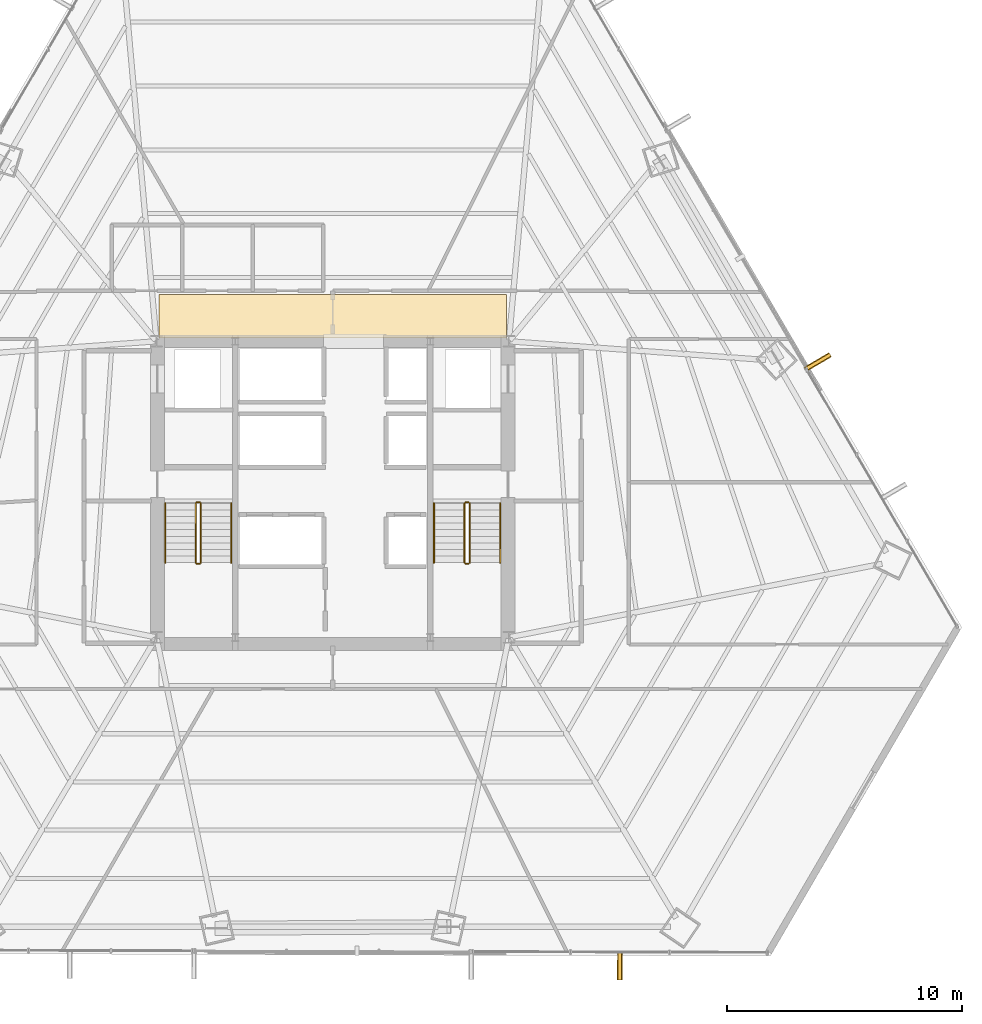
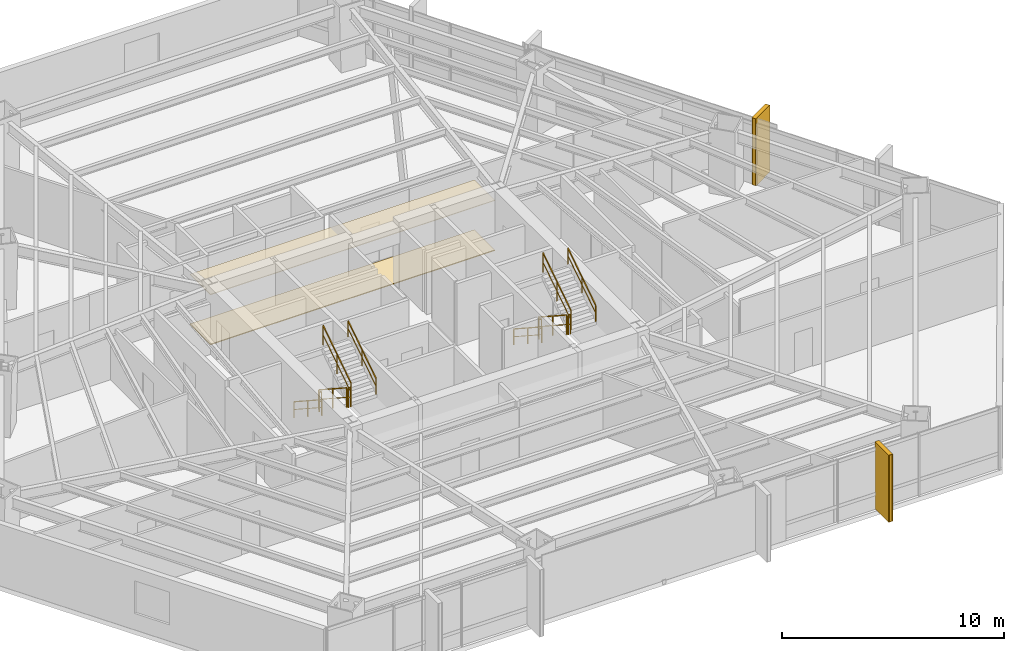
# One storey, part 32 of 33: 12 railings, 4 coverings, 2 shading devices.
"""IFC4 building model written with IfcOpenShell, lengths in metres."""

from ifc_helpers import new_model, si_unit, direction, frame, origin, origin_2d, place, context, subcontext, project, spatial, polyline, rectangle, outline, extrude, source, transform, mapped, material, layer, layer_set, type_object, type_shapes, element, save


model = new_model("IFC4")

# Units and contexts
model_context = context("Model", 3, precision=1e-05, world=origin(), true_north=direction((0.0, 1.0)))
body_context = subcontext(model_context, "Body", "Model", "MODEL_VIEW")
ifc_project = project(units=[si_unit("LENGTHUNIT", "METRE"), si_unit("AREAUNIT", "SQUARE_METRE"), si_unit("VOLUMEUNIT", "CUBIC_METRE"), si_unit("PLANEANGLEUNIT", "RADIAN"), si_unit("MASSUNIT", "GRAM", prefix="KILO")], contexts=[model_context])

# Site, building, storey
site_placement = place(None, origin())
site = spatial("IfcSite", under=ifc_project, at=site_placement, CompositionType="ELEMENT")
building_placement = place(site_placement, origin())
building = spatial("IfcBuilding", under=site, at=building_placement, Name="Caelisora Broadcast Tower", CompositionType="ELEMENT")
storey_placement = place(building_placement, frame((0.0, 0.0, 38.550048828125)))
storey = spatial("IfcBuildingStorey", under=building, at=storey_placement, Name="L09", CompositionType="ELEMENT", Elevation=38.550048828125)

# Coverings
ifc_material_1 = material(Name="Perforated Mineral-Fibre Acoustic Ceiling Tile", Category="gypsum")
ifc_layer_1 = layer(ifc_material_1, 0.034912109375, Name="Perforated Mineral-Fibre Acoustic Ceiling Tile")
ifc_layer_set_1 = layer_set([ifc_layer_1], Name="Perforated Mineral-Fibre Acoustic Ceiling Tile")
covering_type_1 = type_object("IfcCoveringType", Name="CE-1", PredefinedType="CEILING", material=ifc_layer_set_1)
covering_1_placement = place(storey_placement, frame((0.0, 0.0, 2.75)))
element("IfcCovering", 1, at=covering_1_placement, inside=storey, type_object=covering_type_1, Name="L09 acoustic corridor ceiling CE-1 (N)", PredefinedType="CEILING", context=body_context, shape_type="SweptSolid", body=[
    extrude(outline(polyline([(30.60009765625, 30.14990234375), (45.39990234375, 30.14990234375), (45.39990234375, 32.0), (30.60009765625, 32.0), (30.60009765625, 30.14990234375)])), origin(), (0.0, 0.0, 1.0), 0.034912109375),
])
ifc_material_2 = material(Name="Anti-Static Broadcast Raised Access Floor Panel", Category="steel")
ifc_layer_2 = layer(ifc_material_2, 0.044921875, Name="Anti-Static Broadcast Raised Access Floor Panel")
ifc_layer_set_2 = layer_set([ifc_layer_2], Name="Anti-Static Broadcast Raised Access Floor Panel")
covering_type_2 = type_object("IfcCoveringType", Name="FL-1", PredefinedType="FLOORING", material=ifc_layer_set_2)
covering_2_placement = place(storey_placement, origin())
element("IfcCovering", 2, at=covering_2_placement, inside=storey, type_object=covering_type_2, Name="L09 broadcast raised access floor FL-1 (N)", PredefinedType="FLOORING", context=body_context, shape_type="SweptSolid", body=[
    extrude(outline(polyline([(30.60009765625, 30.14990234375), (45.39990234375, 30.14990234375), (45.39990234375, 32.0), (30.60009765625, 32.0), (30.60009765625, 30.14990234375)])), origin(), (0.0, 0.0, 1.0), 0.044921875),
])

# Railings
ifc_material_3 = material(Name="Galvanised Steel Safety Guardrail", Category="steel")
ifc_layer_3 = layer(ifc_material_3, 0.048095703125, Name="Galvanised Steel Safety Guardrail")
ifc_layer_set_3 = layer_set([ifc_layer_3], Name="Galvanised Steel Safety Guardrail")
railing_type_1 = type_object("IfcRailingType", Name="GR-1", PredefinedType="GUARDRAIL", material=ifc_layer_set_3)
railing_1_placement = place(storey_placement, frame((32.169921875, 23.10009765625, 0.182373046875)))
element("IfcRailing", 3, at=railing_1_placement, inside=storey, type_object=railing_type_1, Name="L09 ST-1 stair guard 1", PredefinedType="GUARDRAIL", context=body_context, shape_type="SweptSolid", body=[
    extrude(rectangle(XDim=0.048095703125, YDim=0.048095703125, at=origin_2d()), frame((0.0, 0.0, 1.076171875), z_axis=(0.0, -0.837749427056, 0.546054848405), x_axis=(1.0, 0.0, 0.0)), (0.0, 0.0, 1.0), 3.008056640625),
    extrude(rectangle(XDim=0.03125, YDim=0.03125, at=origin_2d()), frame((0.0, 0.0, 0.550048828125), z_axis=(0.0, -0.837749427056, 0.546054848405), x_axis=(1.0, 0.0, 0.0)), (0.0, 0.0, 1.0), 3.008056640625),
    extrude(rectangle(XDim=0.0419921875, YDim=0.0419921875, at=origin_2d()), origin(), (0.0, 0.0, 1.0), 1.052001953125),
    extrude(rectangle(XDim=0.0419921875, YDim=0.0419921875, at=origin_2d()), frame((0.0, -1.260009765625, 0.8212890625)), (0.0, 0.0, 1.0), 1.052001953125),
    extrude(rectangle(XDim=0.0419921875, YDim=0.0419921875, at=origin_2d()), frame((0.0, -2.52001953125, 1.642578125)), (0.0, 0.0, 1.0), 1.052001953125),
])
railing_2_placement = place(storey_placement, frame((32.219970703125, 20.530029296875, 1.824951171875)))
element("IfcRailing", 4, at=railing_2_placement, inside=storey, type_object=railing_type_1, Name="L09 ST-1 stair guard 2", PredefinedType="GUARDRAIL", context=body_context, shape_type="SweptSolid", body=[
    extrude(rectangle(XDim=0.048095703125, YDim=0.048095703125, at=origin_2d()), frame((0.0, 0.0, 1.076171875), z_axis=(1.0, 0.0, 0.0), x_axis=(0.0, 1.0, 0.0)), (0.0, 0.0, 1.0), 0.1201171875),
    extrude(rectangle(XDim=0.03125, YDim=0.03125, at=origin_2d()), frame((0.0, 0.0, 0.550048828125), z_axis=(1.0, 0.0, 0.0), x_axis=(0.0, 1.0, 0.0)), (0.0, 0.0, 1.0), 0.1201171875),
    extrude(rectangle(XDim=0.0419921875, YDim=0.0419921875, at=origin_2d()), origin(), (0.0, 0.0, 1.0), 1.052001953125),
    extrude(rectangle(XDim=0.0419921875, YDim=0.0419921875, at=origin_2d()), frame((0.1201171875, 0.0, 0.0)), (0.0, 0.0, 1.0), 1.052001953125),
])
railing_3_placement = place(storey_placement, frame((32.389892578125, 20.580078125, 2.007568359375)))
element("IfcRailing", 5, at=railing_3_placement, inside=storey, type_object=railing_type_1, Name="L09 ST-1 stair guard 3", PredefinedType="GUARDRAIL", context=body_context, shape_type="SweptSolid", body=[
    extrude(rectangle(XDim=0.048095703125, YDim=0.048095703125, at=origin_2d()), frame((0.0, 0.0, 1.076171875), z_axis=(0.0, 0.837786554691, 0.545997883492), x_axis=(-1.0, 0.0, 0.0)), (0.0, 0.0, 1.0), 3.008056640625),
    extrude(rectangle(XDim=0.03125, YDim=0.03125, at=origin_2d()), frame((0.0, 0.0, 0.550048828125), z_axis=(0.0, 0.837786554691, 0.545997883492), x_axis=(-1.0, 0.0, 0.0)), (0.0, 0.0, 1.0), 3.008056640625),
    extrude(rectangle(XDim=0.0419921875, YDim=0.0419921875, at=origin_2d()), origin(), (0.0, 0.0, 1.0), 1.052001953125),
    extrude(rectangle(XDim=0.0419921875, YDim=0.0419921875, at=origin_2d()), frame((0.0, 1.260009765625, 0.8212890625)), (0.0, 0.0, 1.0), 1.052001953125),
    extrude(rectangle(XDim=0.0419921875, YDim=0.0419921875, at=origin_2d()), frame((0.0, 2.52001953125, 1.642333984375)), (0.0, 0.0, 1.0), 1.052001953125),
])
railing_4_placement = place(storey_placement, frame((32.219970703125, 23.14990234375, 0.0)))
element("IfcRailing", 6, at=railing_4_placement, inside=storey, type_object=railing_type_1, Name="L09 ST-1 stair guard 4", PredefinedType="GUARDRAIL", context=body_context, shape_type="SweptSolid", body=[
    extrude(rectangle(XDim=0.048095703125, YDim=0.048095703125, at=origin_2d()), frame((0.0, 0.0, 1.076171875), z_axis=(1.0, 0.0, 0.0), x_axis=(0.0, 1.0, 0.0)), (0.0, 0.0, 1.0), 0.1201171875),
    extrude(rectangle(XDim=0.03125, YDim=0.03125, at=origin_2d()), frame((0.0, 0.0, 0.550048828125), z_axis=(1.0, 0.0, 0.0), x_axis=(0.0, 1.0, 0.0)), (0.0, 0.0, 1.0), 0.1201171875),
    extrude(rectangle(XDim=0.0419921875, YDim=0.0419921875, at=origin_2d()), origin(), (0.0, 0.0, 1.0), 1.052001953125),
    extrude(rectangle(XDim=0.0419921875, YDim=0.0419921875, at=origin_2d()), frame((0.1201171875, 0.0, 0.0)), (0.0, 0.0, 1.0), 1.052001953125),
])
railing_5_placement = place(storey_placement, frame((43.610107421875, 23.10009765625, 0.182373046875)))
element("IfcRailing", 7, at=railing_5_placement, inside=storey, type_object=railing_type_1, Name="L09 ST-2 stair guard 1", PredefinedType="GUARDRAIL", context=body_context, shape_type="SweptSolid", body=[
    extrude(rectangle(XDim=0.048095703125, YDim=0.048095703125, at=origin_2d()), frame((0.0, 0.0, 1.076171875), z_axis=(0.0, -0.837749427056, 0.546054848405), x_axis=(1.0, 0.0, 0.0)), (0.0, 0.0, 1.0), 3.008056640625),
    extrude(rectangle(XDim=0.03125, YDim=0.03125, at=origin_2d()), frame((0.0, 0.0, 0.550048828125), z_axis=(0.0, -0.837749427056, 0.546054848405), x_axis=(1.0, 0.0, 0.0)), (0.0, 0.0, 1.0), 3.008056640625),
    extrude(rectangle(XDim=0.0419921875, YDim=0.0419921875, at=origin_2d()), origin(), (0.0, 0.0, 1.0), 1.052001953125),
    extrude(rectangle(XDim=0.0419921875, YDim=0.0419921875, at=origin_2d()), frame((0.0, -1.260009765625, 0.8212890625)), (0.0, 0.0, 1.0), 1.052001953125),
    extrude(rectangle(XDim=0.0419921875, YDim=0.0419921875, at=origin_2d()), frame((0.0, -2.52001953125, 1.642578125)), (0.0, 0.0, 1.0), 1.052001953125),
])
railing_6_placement = place(storey_placement, frame((43.659912109375, 20.530029296875, 1.824951171875)))
element("IfcRailing", 8, at=railing_6_placement, inside=storey, type_object=railing_type_1, Name="L09 ST-2 stair guard 2", PredefinedType="GUARDRAIL", context=body_context, shape_type="SweptSolid", body=[
    extrude(rectangle(XDim=0.048095703125, YDim=0.048095703125, at=origin_2d()), frame((0.0, 0.0, 1.076171875), z_axis=(1.0, 0.0, 0.0), x_axis=(0.0, 1.0, 0.0)), (0.0, 0.0, 1.0), 0.1201171875),
    extrude(rectangle(XDim=0.03125, YDim=0.03125, at=origin_2d()), frame((0.0, 0.0, 0.550048828125), z_axis=(1.0, 0.0, 0.0), x_axis=(0.0, 1.0, 0.0)), (0.0, 0.0, 1.0), 0.1201171875),
    extrude(rectangle(XDim=0.0419921875, YDim=0.0419921875, at=origin_2d()), origin(), (0.0, 0.0, 1.0), 1.052001953125),
    extrude(rectangle(XDim=0.0419921875, YDim=0.0419921875, at=origin_2d()), frame((0.1201171875, 0.0, 0.0)), (0.0, 0.0, 1.0), 1.052001953125),
])
railing_7_placement = place(storey_placement, frame((43.830078125, 20.580078125, 2.007568359375)))
element("IfcRailing", 9, at=railing_7_placement, inside=storey, type_object=railing_type_1, Name="L09 ST-2 stair guard 3", PredefinedType="GUARDRAIL", context=body_context, shape_type="SweptSolid", body=[
    extrude(rectangle(XDim=0.048095703125, YDim=0.048095703125, at=origin_2d()), frame((0.0, 0.0, 1.076171875), z_axis=(0.0, 0.837786554691, 0.545997883492), x_axis=(-1.0, 0.0, 0.0)), (0.0, 0.0, 1.0), 3.008056640625),
    extrude(rectangle(XDim=0.03125, YDim=0.03125, at=origin_2d()), frame((0.0, 0.0, 0.550048828125), z_axis=(0.0, 0.837786554691, 0.545997883492), x_axis=(-1.0, 0.0, 0.0)), (0.0, 0.0, 1.0), 3.008056640625),
    extrude(rectangle(XDim=0.0419921875, YDim=0.0419921875, at=origin_2d()), origin(), (0.0, 0.0, 1.0), 1.052001953125),
    extrude(rectangle(XDim=0.0419921875, YDim=0.0419921875, at=origin_2d()), frame((0.0, 1.260009765625, 0.8212890625)), (0.0, 0.0, 1.0), 1.052001953125),
    extrude(rectangle(XDim=0.0419921875, YDim=0.0419921875, at=origin_2d()), frame((0.0, 2.52001953125, 1.642333984375)), (0.0, 0.0, 1.0), 1.052001953125),
])
railing_8_placement = place(storey_placement, frame((43.659912109375, 23.14990234375, 0.0)))
element("IfcRailing", 10, at=railing_8_placement, inside=storey, type_object=railing_type_1, Name="L09 ST-2 stair guard 4", PredefinedType="GUARDRAIL", context=body_context, shape_type="SweptSolid", body=[
    extrude(rectangle(XDim=0.048095703125, YDim=0.048095703125, at=origin_2d()), frame((0.0, 0.0, 1.076171875), z_axis=(1.0, 0.0, 0.0), x_axis=(0.0, 1.0, 0.0)), (0.0, 0.0, 1.0), 0.1201171875),
    extrude(rectangle(XDim=0.03125, YDim=0.03125, at=origin_2d()), frame((0.0, 0.0, 0.550048828125), z_axis=(1.0, 0.0, 0.0), x_axis=(0.0, 1.0, 0.0)), (0.0, 0.0, 1.0), 0.1201171875),
    extrude(rectangle(XDim=0.0419921875, YDim=0.0419921875, at=origin_2d()), origin(), (0.0, 0.0, 1.0), 1.052001953125),
    extrude(rectangle(XDim=0.0419921875, YDim=0.0419921875, at=origin_2d()), frame((0.1201171875, 0.0, 0.0)), (0.0, 0.0, 1.0), 1.052001953125),
])
ifc_material_4 = material(Name="Stainless Steel Grade 316 Tubular Handrail", Category="steel")
ifc_layer_4 = layer(ifc_material_4, 0.048095703125, Name="Stainless Steel Grade 316 Tubular Handrail")
ifc_layer_set_4 = layer_set([ifc_layer_4], Name="Stainless Steel Grade 316 Tubular Handrail")
railing_type_2 = type_object("IfcRailingType", Name="HR-1", PredefinedType="HANDRAIL", material=ifc_layer_set_4)
railing_9_placement = place(storey_placement, frame((30.8701171875, 23.10009765625, 0.182373046875)))
element("IfcRailing", 11, at=railing_9_placement, inside=storey, type_object=railing_type_2, Name="L09 ST-1 stair handrail 1", PredefinedType="HANDRAIL", context=body_context, shape_type="SweptSolid", body=[
    extrude(rectangle(XDim=0.048095703125, YDim=0.048095703125, at=origin_2d()), frame((0.0, 0.0, 0.8759765625), z_axis=(0.0, -0.837749427056, 0.546054848405), x_axis=(1.0, 0.0, 0.0)), (0.0, 0.0, 1.0), 3.008056640625),
    extrude(rectangle(XDim=0.03125, YDim=0.03125, at=origin_2d()), frame((0.0, 0.0, 0.449951171875), z_axis=(0.0, -0.837749427056, 0.546054848405), x_axis=(1.0, 0.0, 0.0)), (0.0, 0.0, 1.0), 3.008056640625),
    extrude(rectangle(XDim=0.0419921875, YDim=0.0419921875, at=origin_2d()), origin(), (0.0, 0.0, 1.0), 0.851806640625),
    extrude(rectangle(XDim=0.0419921875, YDim=0.0419921875, at=origin_2d()), frame((0.0, -1.260009765625, 0.8212890625)), (0.0, 0.0, 1.0), 0.851806640625),
    extrude(rectangle(XDim=0.0419921875, YDim=0.0419921875, at=origin_2d()), frame((0.0, -2.52001953125, 1.642578125)), (0.0, 0.0, 1.0), 0.851806640625),
])
railing_10_placement = place(storey_placement, frame((33.68994140625, 20.580078125, 2.007568359375)))
element("IfcRailing", 12, at=railing_10_placement, inside=storey, type_object=railing_type_2, Name="L09 ST-1 stair handrail 2", PredefinedType="HANDRAIL", context=body_context, shape_type="SweptSolid", body=[
    extrude(rectangle(XDim=0.048095703125, YDim=0.048095703125, at=origin_2d()), frame((0.0, 0.0, 0.8759765625), z_axis=(0.0, 0.837786554691, 0.545997883492), x_axis=(-1.0, 0.0, 0.0)), (0.0, 0.0, 1.0), 3.008056640625),
    extrude(rectangle(XDim=0.03125, YDim=0.03125, at=origin_2d()), frame((0.0, 0.0, 0.449951171875), z_axis=(0.0, 0.837786554691, 0.545997883492), x_axis=(-1.0, 0.0, 0.0)), (0.0, 0.0, 1.0), 3.008056640625),
    extrude(rectangle(XDim=0.0419921875, YDim=0.0419921875, at=origin_2d()), origin(), (0.0, 0.0, 1.0), 0.851806640625),
    extrude(rectangle(XDim=0.0419921875, YDim=0.0419921875, at=origin_2d()), frame((0.0, 1.260009765625, 0.8212890625)), (0.0, 0.0, 1.0), 0.851806640625),
    extrude(rectangle(XDim=0.0419921875, YDim=0.0419921875, at=origin_2d()), frame((0.0, 2.52001953125, 1.642333984375)), (0.0, 0.0, 1.0), 0.851806640625),
])
railing_11_placement = place(storey_placement, frame((42.31005859375, 23.10009765625, 0.182373046875)))
element("IfcRailing", 13, at=railing_11_placement, inside=storey, type_object=railing_type_2, Name="L09 ST-2 stair handrail 1", PredefinedType="HANDRAIL", context=body_context, shape_type="SweptSolid", body=[
    extrude(rectangle(XDim=0.048095703125, YDim=0.048095703125, at=origin_2d()), frame((0.0, 0.0, 0.8759765625), z_axis=(0.0, -0.837749427056, 0.546054848405), x_axis=(1.0, 0.0, 0.0)), (0.0, 0.0, 1.0), 3.008056640625),
    extrude(rectangle(XDim=0.03125, YDim=0.03125, at=origin_2d()), frame((0.0, 0.0, 0.449951171875), z_axis=(0.0, -0.837749427056, 0.546054848405), x_axis=(1.0, 0.0, 0.0)), (0.0, 0.0, 1.0), 3.008056640625),
    extrude(rectangle(XDim=0.0419921875, YDim=0.0419921875, at=origin_2d()), origin(), (0.0, 0.0, 1.0), 0.851806640625),
    extrude(rectangle(XDim=0.0419921875, YDim=0.0419921875, at=origin_2d()), frame((0.0, -1.260009765625, 0.8212890625)), (0.0, 0.0, 1.0), 0.851806640625),
    extrude(rectangle(XDim=0.0419921875, YDim=0.0419921875, at=origin_2d()), frame((0.0, -2.52001953125, 1.642578125)), (0.0, 0.0, 1.0), 0.851806640625),
])
railing_12_placement = place(storey_placement, frame((45.1298828125, 20.580078125, 2.007568359375)))
element("IfcRailing", 14, at=railing_12_placement, inside=storey, type_object=railing_type_2, Name="L09 ST-2 stair handrail 2", PredefinedType="HANDRAIL", context=body_context, shape_type="SweptSolid", body=[
    extrude(rectangle(XDim=0.048095703125, YDim=0.048095703125, at=origin_2d()), frame((0.0, 0.0, 0.8759765625), z_axis=(0.0, 0.837786554691, 0.545997883492), x_axis=(-1.0, 0.0, 0.0)), (0.0, 0.0, 1.0), 3.008056640625),
    extrude(rectangle(XDim=0.03125, YDim=0.03125, at=origin_2d()), frame((0.0, 0.0, 0.449951171875), z_axis=(0.0, 0.837786554691, 0.545997883492), x_axis=(-1.0, 0.0, 0.0)), (0.0, 0.0, 1.0), 3.008056640625),
    extrude(rectangle(XDim=0.0419921875, YDim=0.0419921875, at=origin_2d()), origin(), (0.0, 0.0, 1.0), 0.851806640625),
    extrude(rectangle(XDim=0.0419921875, YDim=0.0419921875, at=origin_2d()), frame((0.0, 1.260009765625, 0.8212890625)), (0.0, 0.0, 1.0), 0.851806640625),
    extrude(rectangle(XDim=0.0419921875, YDim=0.0419921875, at=origin_2d()), frame((0.0, 2.52001953125, 1.642333984375)), (0.0, 0.0, 1.0), 0.851806640625),
])

# Coverings
ifc_material_5 = material(Name="Kiln-Fired Terracotta Spandrel Rainscreen Cladding", Category="ceramic")
ifc_layer_5 = layer(ifc_material_5, 0.044921875, Name="Kiln-Fired Terracotta Spandrel Rainscreen Cladding")
ifc_layer_set_5 = layer_set([ifc_layer_5], Name="Kiln-Fired Terracotta Spandrel Rainscreen Cladding")
covering_type_3 = type_object("IfcCoveringType", Name="CL-1", PredefinedType="CLADDING", material=ifc_layer_set_5)
shared_shape_1 = source(origin(), body_context, "Body", "SweptSolid", [
    extrude(rectangle(XDim=0.219970703125, YDim=1.25, at=origin_2d()), origin(), (0.0, 0.0, 1.0), 3.68994140625),
])
type_shapes(covering_type_3, [shared_shape_1])
for number, where, z_axis, x_axis, name in (
    (15, (58.637451171875, 29.111328125, -0.02001953125), (0.0, 0.0, 1.0), (0.505732659231, -0.862690255763, 0.0), "L09 vertical solar fin cladding #1-3"),
    (16, (50.22021484375, 3.442626953125, -0.02001953125), (0.0, 0.0, 1.0), (-0.9999961009, 0.002792523174, 0.0), "L09 vertical solar fin cladding #2-1"),
):
    element("IfcCovering", number, at=place(storey_placement, frame(where, z_axis=z_axis, x_axis=x_axis)), inside=storey, type_object=covering_type_3, Name=name, PredefinedType="CLADDING", context=body_context, shape_type="MappedRepresentation", body=[
        mapped(shared_shape_1, transform((0.0, 0.0, 0.0), scale=1.0)),
    ])

# Shading devices
ifc_material_6 = material(Name="Extruded Terracotta Flaring Colonnade Fin", Category="ceramic")
ifc_layer_6 = layer(ifc_material_6, 0.139892578125, Name="Extruded Terracotta Flaring Colonnade Fin")
ifc_layer_set_6 = layer_set([ifc_layer_6], Name="Extruded Terracotta Flaring Colonnade Fin")
shading_device_type = type_object("IfcShadingDeviceType", Name="FN-1", PredefinedType="USERDEFINED", material=ifc_layer_set_6)
shared_shape_2 = source(origin(), body_context, "Body", "SweptSolid", [
    extrude(rectangle(XDim=0.139892578125, YDim=1.25, at=origin_2d()), origin(), (0.0, 0.0, 1.0), 3.669921875),
])
type_shapes(shading_device_type, [shared_shape_2])
for number, where, z_axis, x_axis, name in (
    (17, (58.637451171875, 29.111328125, -0.010009765625), (0.0, 0.0, 1.0), (0.505732659231, -0.862690255763, 0.0), "L09 vertical terracotta fin #1-3"),
    (18, (50.22021484375, 3.442626953125, -0.010009765625), (0.0, 0.0, 1.0), (-0.9999961009, 0.002792523174, 0.0), "L09 vertical terracotta fin #2-1"),
):
    element("IfcShadingDevice", number, at=place(storey_placement, frame(where, z_axis=z_axis, x_axis=x_axis)), inside=storey, type_object=shading_device_type, Name=name, ObjectType="FIN", PredefinedType="USERDEFINED", context=body_context, shape_type="MappedRepresentation", body=[
        mapped(shared_shape_2, transform((0.0, 0.0, 0.0), scale=1.0)),
    ])

save(model, "model.ifc")
